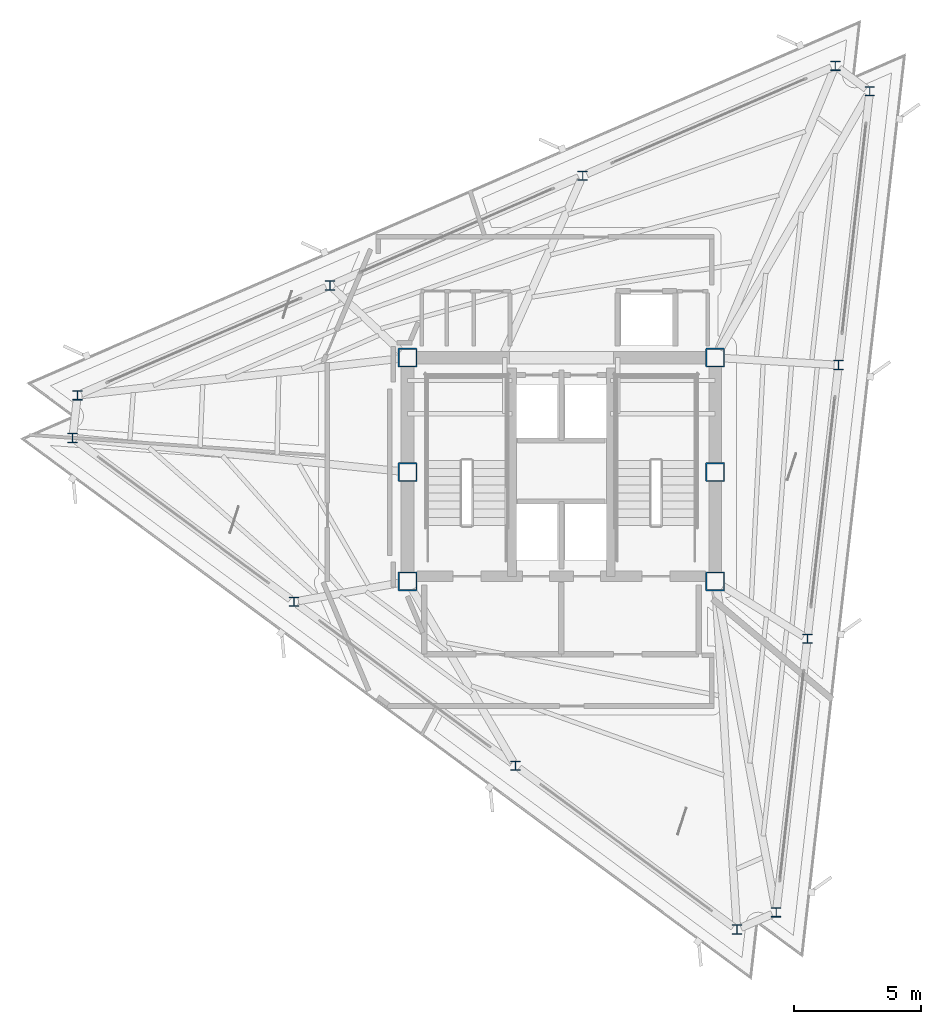
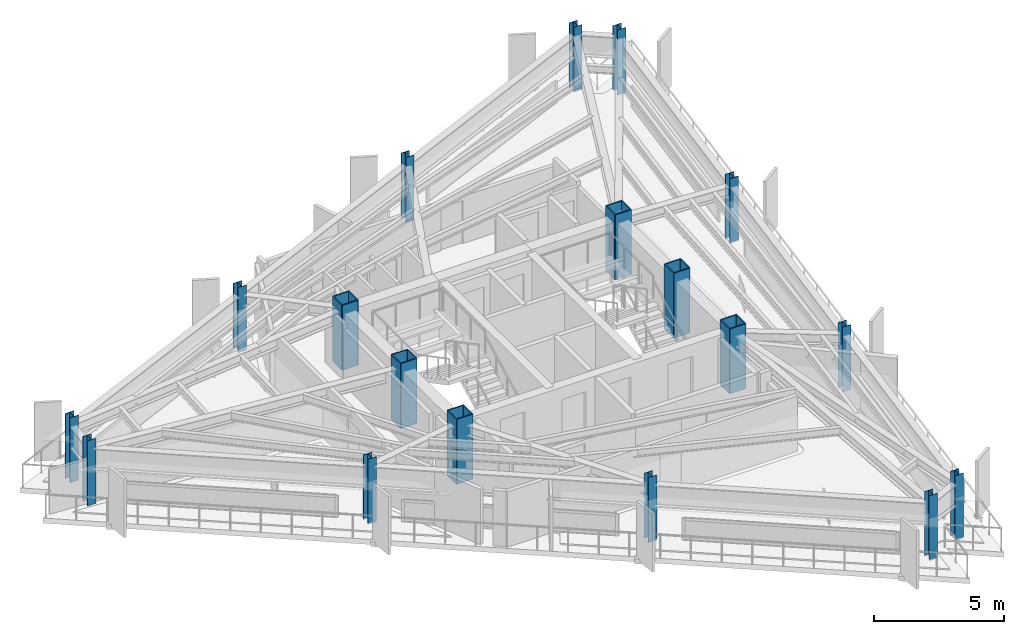
# One storey, part 1 of 9: 18 columns.
"""IFC4 building model written with IfcOpenShell, lengths in metres."""

from ifc_helpers import new_model, si_unit, direction, frame, origin, origin_2d, place, context, subcontext, project, spatial, hollow_rectangle, i_section, extrude, material, material_profile, profile_set, type_object, element, save


model = new_model("IFC4")

# Units and contexts
model_context = context("Model", 3, precision=1e-05, world=origin(), true_north=direction((0.0, 1.0)))
body_context = subcontext(model_context, "Body", "Model", "MODEL_VIEW")
ifc_project = project(units=[si_unit("LENGTHUNIT", "METRE"), si_unit("AREAUNIT", "SQUARE_METRE"), si_unit("VOLUMEUNIT", "CUBIC_METRE"), si_unit("PLANEANGLEUNIT", "RADIAN"), si_unit("MASSUNIT", "GRAM", prefix="KILO")], contexts=[model_context])

# Site, building, storey
site_placement = place(None, origin())
site = spatial("IfcSite", under=ifc_project, at=site_placement, CompositionType="ELEMENT")
building_placement = place(site_placement, origin())
building = spatial("IfcBuilding", under=site, at=building_placement, Name="Rocaltana Carrier Exchange", CompositionType="ELEMENT")
storey_placement = place(building_placement, frame((0.0, 0.0, 236.159912109375)))
storey = spatial("IfcBuildingStorey", under=building, at=storey_placement, Name="L75", CompositionType="ELEMENT", Elevation=236.159912109375)

# Columns
ifc_material_1 = material(Name="Steel S460", Category="steel")
ifc_material_profile_1 = material_profile(ifc_material_1, hollow_rectangle(XDim=0.75, YDim=0.75, WallThickness=0.050048828125, InnerFilletRadius=0.02001953125, OuterFilletRadius=0.0400390625, at=origin_2d()), Name="BOX750X750X50")
ifc_profile_set_1 = profile_set([ifc_material_profile_1], Name="Steel S460")
column_type_1 = type_object("IfcColumnType", Name="Core Mega-Column BOX750", PredefinedType="COLUMN", material=ifc_profile_set_1)
for number, where, z_axis, x_axis, name in (
    (1, (-6.050048828125, 4.5, 0.0), (0.0, 0.0, 1.0), (1.0, 0.0, 0.0), "L75 Core Mega-Column MC1"),
    (2, (6.050048828125, 4.5, 0.0), (0.0, 0.0, 1.0), (1.0, 0.0, 0.0), "L75 Core Mega-Column MC2"),
    (3, (-6.050048828125, 0.0, 0.0), (0.0, 0.0, 1.0), (1.0, 0.0, 0.0), "L75 Core Mega-Column MC3"),
    (4, (6.050048828125, 0.0, 0.0), (0.0, 0.0, 1.0), (1.0, 0.0, 0.0), "L75 Core Mega-Column MC4"),
    (5, (-6.050048828125, -4.300048828125, 0.0), (0.0, 0.0, 1.0), (1.0, 0.0, 0.0), "L75 Core Mega-Column MC5"),
    (6, (6.050048828125, -4.300048828125, 0.0), (0.0, 0.0, 1.0), (1.0, 0.0, 0.0), "L75 Core Mega-Column MC6"),
):
    element("IfcColumn", number, at=place(storey_placement, frame(where, z_axis=z_axis, x_axis=x_axis)), inside=storey, type_object=column_type_1, Name=name, PredefinedType="COLUMN", context=body_context, shape_type="SweptSolid", body=[
        extrude(hollow_rectangle(XDim=0.75, YDim=0.75, WallThickness=0.050048828125, InnerFilletRadius=0.02001953125, OuterFilletRadius=0.0400390625, at=origin_2d()), origin(), (0.0, 0.0, 1.0), 3.0400390625),
    ])
ifc_material_2 = material(Name="Steel S355", Category="steel")
ifc_material_profile_2 = material_profile(ifc_material_2, i_section(OverallWidth=0.37109375, OverallDepth=0.364013671875, WebThickness=0.01318359375, FlangeThickness=0.021728515625, FilletRadius=0.014892578125, at=origin_2d()), Name="W14X109")
ifc_profile_set_2 = profile_set([ifc_material_profile_2], Name="Steel S355")
column_type_2 = type_object("IfcColumnType", Name="Crown Column W14X109", PredefinedType="COLUMN", material=ifc_profile_set_2)
for number, where, z_axis, x_axis, name in (
    (7, (8.448486328125, -17.317626953125, 0.0), (0.0, 0.0, 1.0), (1.0, 0.0, 0.0), "L75 Perimeter Column TC01"),
    (8, (9.675048828125, -6.553955078125, 0.0), (0.0, 0.0, 1.0), (1.0, 0.0, 0.0), "L75 Perimeter Column TC02"),
    (9, (10.9013671875, 4.209716796875, 0.0), (0.0, 0.0, 1.0), (1.0, 0.0, 0.0), "L75 Perimeter Column TC03"),
    (10, (12.127685546875, 14.973388671875, 0.0), (0.0, 0.0, 1.0), (1.0, 0.0, 0.0), "L75 Perimeter Column TC04"),
    (11, (10.773193359375, 15.9755859375, 0.0), (0.0, 0.0, 1.0), (1.0, 0.0, 0.0), "L75 Perimeter Column TC05"),
    (12, (0.83837890625, 11.65576171875, 0.0), (0.0, 0.0, 1.0), (1.0, 0.0, 0.0), "L75 Perimeter Column TC06"),
    (13, (-9.096435546875, 7.3359375, 0.0), (0.0, 0.0, 1.0), (1.0, 0.0, 0.0), "L75 Perimeter Column TC07"),
    (14, (-19.03125, 3.01611328125, 0.0), (0.0, 0.0, 1.0), (1.0, 0.0, 0.0), "L75 Perimeter Column TC08"),
    (15, (-19.221923828125, 1.342041015625, 0.0), (0.0, 0.0, 1.0), (1.0, 0.0, 0.0), "L75 Perimeter Column TC09"),
    (16, (-10.513427734375, -5.101806640625, 0.0), (0.0, 0.0, 1.0), (1.0, 0.0, 0.0), "L75 Perimeter Column TC10"),
    (17, (-1.804931640625, -11.545654296875, 0.0), (0.0, 0.0, 1.0), (1.0, 0.0, 0.0), "L75 Perimeter Column TC11"),
    (18, (6.9033203125, -17.989501953125, 0.0), (0.0, 0.0, 1.0), (1.0, 0.0, 0.0), "L75 Perimeter Column TC12"),
):
    element("IfcColumn", number, at=place(storey_placement, frame(where, z_axis=z_axis, x_axis=x_axis)), inside=storey, type_object=column_type_2, Name=name, PredefinedType="COLUMN", context=body_context, shape_type="SweptSolid", body=[
        extrude(i_section(OverallWidth=0.37109375, OverallDepth=0.364013671875, WebThickness=0.01318359375, FlangeThickness=0.021728515625, FilletRadius=0.014892578125, at=origin_2d()), origin(), (0.0, 0.0, 1.0), 3.0400390625),
    ])

save(model, "model.ifc")
